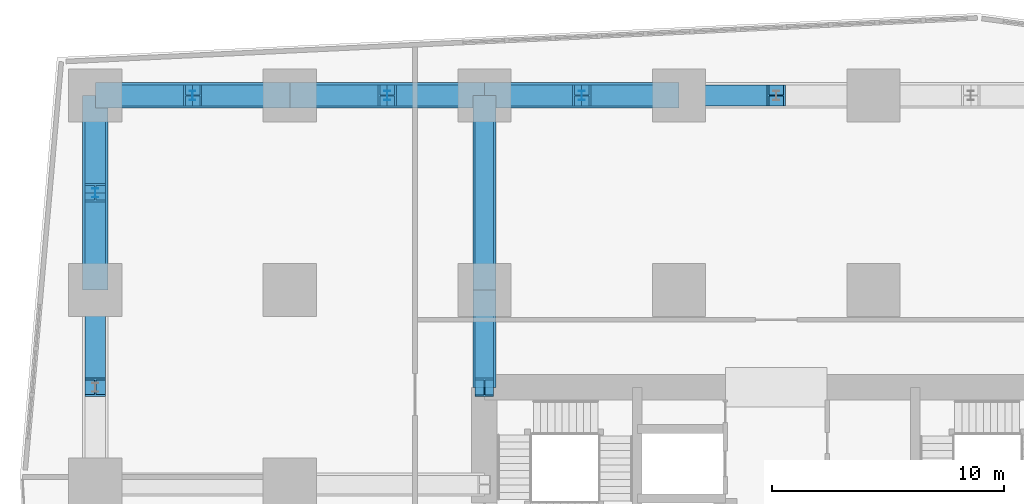
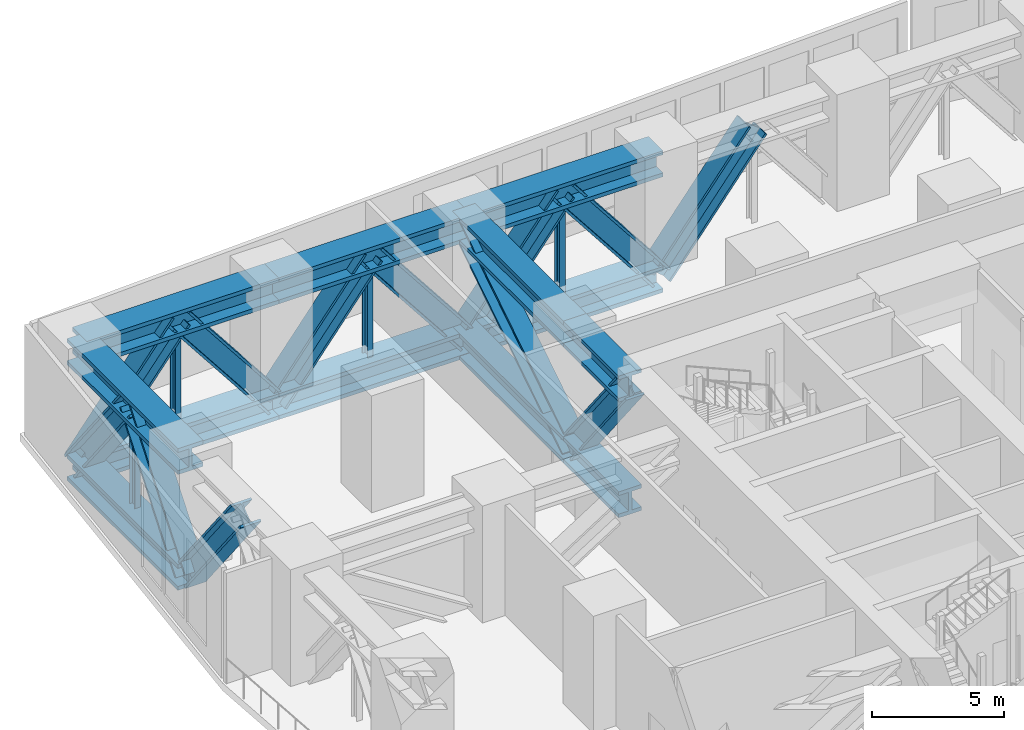
# One storey, part 6 of 16: 28 members.
"""IFC4 building model written with IfcOpenShell, lengths in metres."""

from ifc_helpers import new_model, si_unit, direction, frame, origin, origin_2d, place, context, subcontext, project, spatial, i_section, extrude, material, material_profile, profile_set, type_object, element, save


model = new_model("IFC4")

# Units and contexts
model_context = context("Model", 3, precision=1e-05, world=origin(), true_north=direction((0.0, 1.0)))
body_context = subcontext(model_context, "Body", "Model", "MODEL_VIEW")
ifc_project = project(units=[si_unit("LENGTHUNIT", "METRE"), si_unit("AREAUNIT", "SQUARE_METRE"), si_unit("VOLUMEUNIT", "CUBIC_METRE"), si_unit("PLANEANGLEUNIT", "RADIAN"), si_unit("MASSUNIT", "GRAM", prefix="KILO")], contexts=[model_context])

# Site, building, storey
site_placement = place(None, origin())
site = spatial("IfcSite", under=ifc_project, at=site_placement, CompositionType="ELEMENT")
building_placement = place(site_placement, origin())
building = spatial("IfcBuilding", under=site, at=building_placement, Name="Rekha Terrace Tower", CompositionType="ELEMENT")
storey_placement = place(building_placement, frame((0.0, 0.0, 240.199951171875)))
storey = spatial("IfcBuildingStorey", under=building, at=storey_placement, Name="L61", CompositionType="ELEMENT", Elevation=240.199951171875)

# Members
ifc_material = material(Name="Steel E350", Category="steel")
ifc_material_profile_1 = material_profile(ifc_material, i_section(OverallWidth=1.10009765625, OverallDepth=1.199951171875, WebThickness=0.1201171875, FlangeThickness=0.179931640625, at=origin_2d()), Name="BU 1200x1100x120x180")
ifc_profile_set_1 = profile_set([ifc_material_profile_1], Name="Steel E350")
member_type_1 = type_object("IfcMemberType", Name="BC61 BU 1200x1100x120x180 belt truss chord", PredefinedType="CHORD", material=ifc_profile_set_1)
for number, where, z_axis, x_axis, name in (
    (1, (33.60009765625, 58.800048828125, 4.400146484375), (-1.0, 0.0, 0.0), (0.0, -1.0, 0.0), "Belt top chord 5H-4H L61"),
    (2, (33.60009765625, 58.800048828125, -0.949951171875), (-1.0, 0.0, 0.0), (0.0, -1.0, 0.0), "Belt bottom chord 5H-4H L61"),
):
    element("IfcMember", number, at=place(storey_placement, frame(where, z_axis=z_axis, x_axis=x_axis)), inside=storey, type_object=member_type_1, Name=name, PredefinedType="CHORD", context=body_context, shape_type="SweptSolid", body=[
        extrude(i_section(OverallWidth=1.10009765625, OverallDepth=1.199951171875, WebThickness=0.1201171875, FlangeThickness=0.179931640625, at=origin_2d()), origin(), (0.0, 0.0, 1.0), 8.400146484375),
    ])
for number, where, z_axis, x_axis, name in (
    (3, (25.199951171875, 58.800048828125, 4.400146484375), (-1.0, 0.0, 0.0), (0.0, -1.0, 0.0), "Belt top chord 4H-3H L61"),
    (4, (25.199951171875, 58.800048828125, -0.949951171875), (-1.0, 0.0, 0.0), (0.0, -1.0, 0.0), "Belt bottom chord 4H-3H L61"),
):
    element("IfcMember", number, at=place(storey_placement, frame(where, z_axis=z_axis, x_axis=x_axis)), inside=storey, type_object=member_type_1, Name=name, PredefinedType="CHORD", context=body_context, shape_type="SweptSolid", body=[
        extrude(i_section(OverallWidth=1.10009765625, OverallDepth=1.199951171875, WebThickness=0.1201171875, FlangeThickness=0.179931640625, at=origin_2d()), origin(), (0.0, 0.0, 1.0), 8.39990234375),
    ])
for number, where, z_axis, x_axis, name in (
    (5, (16.800048828125, 58.800048828125, 4.400146484375), (-1.0, 0.0, 0.0), (0.0, -1.0, 0.0), "Belt top chord 3H-2H L61"),
    (6, (16.800048828125, 58.800048828125, -0.949951171875), (-1.0, 0.0, 0.0), (0.0, -1.0, 0.0), "Belt bottom chord 3H-2H L61"),
    (7, (8.39990234375, 58.800048828125, 4.400146484375), (0.0, -1.0, 0.0), (1.0, 0.0, 0.0), "Belt top chord 2H-2G L61"),
    (8, (8.39990234375, 58.800048828125, -0.949951171875), (0.0, -1.0, 0.0), (1.0, 0.0, 0.0), "Belt bottom chord 2H-2G L61"),
):
    element("IfcMember", number, at=place(storey_placement, frame(where, z_axis=z_axis, x_axis=x_axis)), inside=storey, type_object=member_type_1, Name=name, PredefinedType="CHORD", context=body_context, shape_type="SweptSolid", body=[
        extrude(i_section(OverallWidth=1.10009765625, OverallDepth=1.199951171875, WebThickness=0.1201171875, FlangeThickness=0.179931640625, at=origin_2d()), origin(), (0.0, 0.0, 1.0), 8.400146484375),
    ])
ifc_material_profile_2 = material_profile(ifc_material, i_section(OverallWidth=0.89990234375, OverallDepth=1.0, WebThickness=0.06005859375, FlangeThickness=0.10009765625, at=origin_2d()), Name="BU 1000x900x60x100")
ifc_profile_set_2 = profile_set([ifc_material_profile_2], Name="Steel E350")
member_type_2 = type_object("IfcMemberType", Name="BD61 BU 1000x900x60x100 belt truss diagonal", PredefinedType="BRACE", material=ifc_profile_set_2)
for number, where, z_axis, x_axis, name in (
    (9, (33.60009765625, 58.800048828125, -0.949951171875), (0.617485427507, 0.0, 0.786582320432), (0.0, 1.0, 0.0), "Belt diagonal 6H-5H L61"),
    (10, (33.60009765625, 58.800048828125, -0.949951171875), (-0.617507634842, 0.0, 0.78656488665), (0.0, -1.0, 0.0), "Belt diagonal 5H-4H L61"),
    (11, (25.199951171875, 58.800048828125, -0.949951171875), (0.617485427507, 0.0, 0.786582320432), (0.0, 1.0, 0.0), "Belt diagonal 5H-4H L61"),
    (12, (25.199951171875, 58.800048828125, -0.949951171875), (-0.617485427507, 0.0, 0.786582320432), (0.0, -1.0, 0.0), "Belt diagonal 4H-3H L61"),
    (13, (16.800048828125, 58.800048828125, -0.949951171875), (0.617485427507, 0.0, 0.786582320432), (0.0, 1.0, 0.0), "Belt diagonal 4H-3H L61"),
    (14, (16.800048828125, 58.800048828125, -0.949951171875), (-0.617485427507, 0.0, 0.786582320432), (0.0, -1.0, 0.0), "Belt diagonal 3H-2H L61"),
    (15, (8.39990234375, 58.800048828125, -0.949951171875), (0.617507634842, 0.0, 0.78656488665), (0.0, 1.0, 0.0), "Belt diagonal 3H-2H L61"),
    (16, (8.39990234375, 58.800048828125, -0.949951171875), (0.0, -0.617485427507, 0.786582320432), (1.0, 0.0, 0.0), "Belt diagonal 2H-2G L61"),
    (17, (8.39990234375, 50.39990234375, -0.949951171875), (0.0, 0.617507634842, 0.78656488665), (-1.0, 0.0, 0.0), "Belt diagonal 2H-2G L61"),
    (18, (8.39990234375, 50.39990234375, -0.949951171875), (0.0, -0.617485427507, 0.786582320432), (1.0, 0.0, 0.0), "Belt diagonal 2G-2F L61"),
):
    element("IfcMember", number, at=place(storey_placement, frame(where, z_axis=z_axis, x_axis=x_axis)), inside=storey, type_object=member_type_2, Name=name, PredefinedType="BRACE", context=body_context, shape_type="SweptSolid", body=[
        extrude(i_section(OverallWidth=0.89990234375, OverallDepth=1.0, WebThickness=0.06005859375, FlangeThickness=0.10009765625, at=origin_2d()), origin(), (0.0, 0.0, 1.0), 6.8017578125),
    ])
ifc_material_profile_3 = material_profile(ifc_material, i_section(OverallWidth=0.25, OverallDepth=0.39990234375, WebThickness=0.010498046875, FlangeThickness=0.01611328125, FilletRadius=0.013916015625, at=origin_2d()), Name="ISHB 400")
ifc_profile_set_3 = profile_set([ifc_material_profile_3], Name="Steel E350")
member_type_3 = type_object("IfcMemberType", Name="BV61 ISHB 400 belt truss post", PredefinedType="POST", material=ifc_profile_set_3)
for number, where, z_axis, x_axis, name in (
    (19, (29.39990234375, 58.800048828125, -0.349853515625), (0.0, 0.0, 1.0), (1.0, 0.0, 0.0), "Belt post 5H-4H L61"),
    (20, (21.0, 58.800048828125, -0.349853515625), (0.0, 0.0, 1.0), (1.0, 0.0, 0.0), "Belt post 4H-3H L61"),
    (21, (12.60009765625, 58.800048828125, -0.349853515625), (0.0, 0.0, 1.0), (1.0, 0.0, 0.0), "Belt post 3H-2H L61"),
    (22, (8.39990234375, 54.60009765625, -0.349853515625), (0.0, 0.0, 1.0), (1.0, 0.0, 0.0), "Belt post 2H-2G L61"),
):
    element("IfcMember", number, at=place(storey_placement, frame(where, z_axis=z_axis, x_axis=x_axis)), inside=storey, type_object=member_type_3, Name=name, PredefinedType="POST", context=body_context, shape_type="SweptSolid", body=[
        extrude(i_section(OverallWidth=0.25, OverallDepth=0.39990234375, WebThickness=0.010498046875, FlangeThickness=0.01611328125, FilletRadius=0.013916015625, at=origin_2d()), origin(), (0.0, 0.0, 1.0), 4.14990234375),
    ])
ifc_material_profile_4 = material_profile(ifc_material, i_section(OverallWidth=1.0, OverallDepth=1.199951171875, WebThickness=0.139892578125, FlangeThickness=0.169921875, at=origin_2d()), Name="BU 1200x1000x140x170")
ifc_profile_set_4 = profile_set([ifc_material_profile_4], Name="Steel E350")
member_type_4 = type_object("IfcMemberType", Name="OC61 BU 1200x1000x140x170 outrigger chord", PredefinedType="CHORD", material=ifc_profile_set_4)
for number, where, z_axis, x_axis, name in (
    (23, (25.199951171875, 46.199951171875, 4.400146484375), (0.0, 1.0, 0.0), (-1.0, 0.0, 0.0), "Outrigger top chord N4-1 L61"),
    (24, (25.199951171875, 46.199951171875, -0.949951171875), (0.0, 1.0, 0.0), (-1.0, 0.0, 0.0), "Outrigger bottom chord N4-1 L61"),
):
    element("IfcMember", number, at=place(storey_placement, frame(where, z_axis=z_axis, x_axis=x_axis)), inside=storey, type_object=member_type_4, Name=name, PredefinedType="CHORD", context=body_context, shape_type="SweptSolid", body=[
        extrude(i_section(OverallWidth=1.0, OverallDepth=1.199951171875, WebThickness=0.139892578125, FlangeThickness=0.169921875, at=origin_2d()), origin(), (0.0, 0.0, 1.0), 4.199951171875),
    ])
for number, where, z_axis, x_axis, name in (
    (25, (25.199951171875, 50.39990234375, 4.400146484375), (0.0, 1.0, 0.0), (-1.0, 0.0, 0.0), "Outrigger top chord N4-2 L61"),
    (26, (25.199951171875, 50.39990234375, -0.949951171875), (0.0, 1.0, 0.0), (-1.0, 0.0, 0.0), "Outrigger bottom chord N4-2 L61"),
):
    element("IfcMember", number, at=place(storey_placement, frame(where, z_axis=z_axis, x_axis=x_axis)), inside=storey, type_object=member_type_4, Name=name, PredefinedType="CHORD", context=body_context, shape_type="SweptSolid", body=[
        extrude(i_section(OverallWidth=1.0, OverallDepth=1.199951171875, WebThickness=0.139892578125, FlangeThickness=0.169921875, at=origin_2d()), origin(), (0.0, 0.0, 1.0), 8.400146484375),
    ])
ifc_material_profile_5 = material_profile(ifc_material, i_section(OverallWidth=0.800048828125, OverallDepth=1.0, WebThickness=0.050048828125, FlangeThickness=0.090087890625, at=origin_2d()), Name="BU 1000x800x50x90")
ifc_profile_set_5 = profile_set([ifc_material_profile_5], Name="Steel E350")
member_type_5 = type_object("IfcMemberType", Name="OD61 BU 1000x800x50x90 outrigger diagonal", PredefinedType="BRACE", material=ifc_profile_set_5)
member_1_placement = place(storey_placement, frame((25.199951171875, 46.199951171875, 4.400146484375), z_axis=(0.0, 0.617485427507, -0.786582320432), x_axis=(-1.0, 0.0, 0.0)))
element("IfcMember", 27, at=member_1_placement, inside=storey, type_object=member_type_5, Name="Outrigger diagonal N4-1 L61", PredefinedType="BRACE", context=body_context, shape_type="SweptSolid", body=[
    extrude(i_section(OverallWidth=0.800048828125, OverallDepth=1.0, WebThickness=0.050048828125, FlangeThickness=0.090087890625, at=origin_2d()), origin(), (0.0, 0.0, 1.0), 6.8017578125),
])
member_2_placement = place(storey_placement, frame((25.199951171875, 50.39990234375, -0.949951171875), z_axis=(0.0, 0.843454497748, 0.537200623816), x_axis=(-1.0, 0.0, 0.0)))
element("IfcMember", 28, at=member_2_placement, inside=storey, type_object=member_type_5, Name="Outrigger diagonal N4-2 L61", PredefinedType="BRACE", context=body_context, shape_type="SweptSolid", body=[
    extrude(i_section(OverallWidth=0.800048828125, OverallDepth=1.0, WebThickness=0.050048828125, FlangeThickness=0.090087890625, at=origin_2d()), origin(), (0.0, 0.0, 1.0), 9.959228515625),
])

save(model, "model.ifc")
